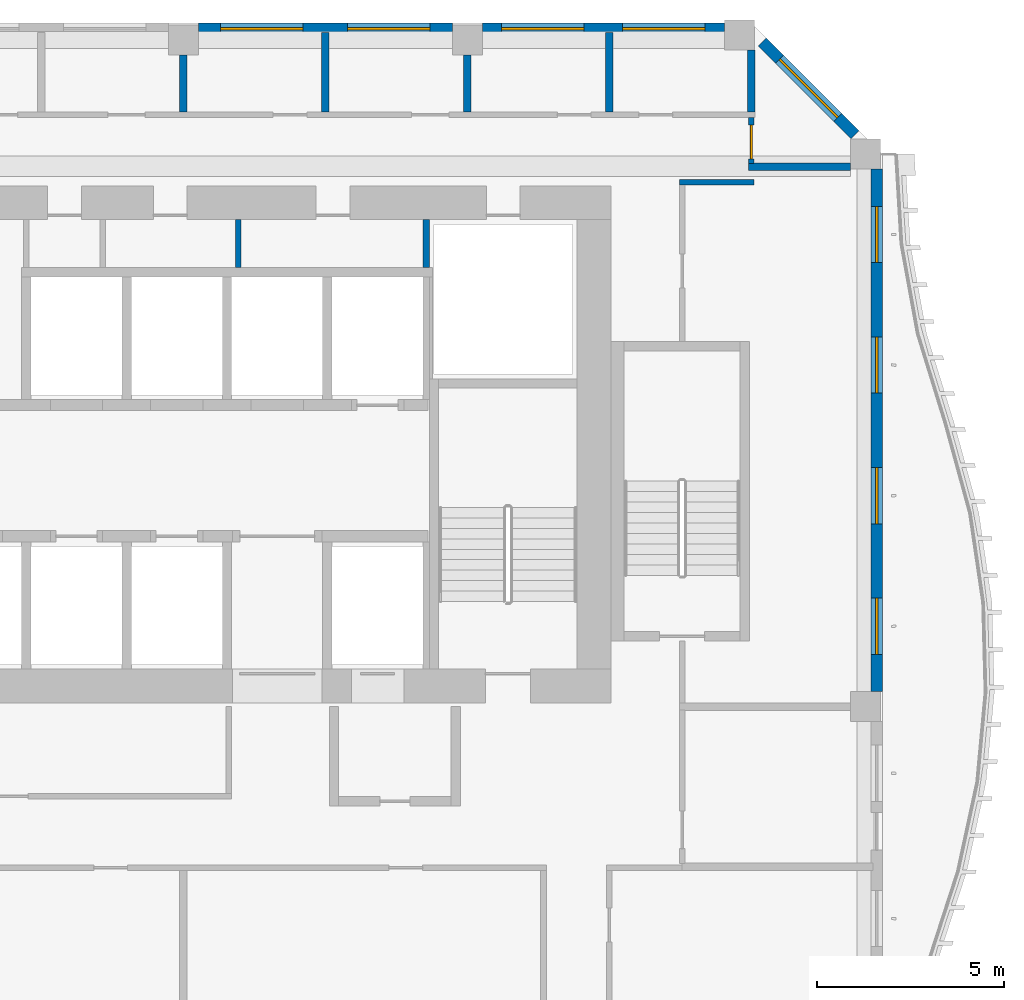
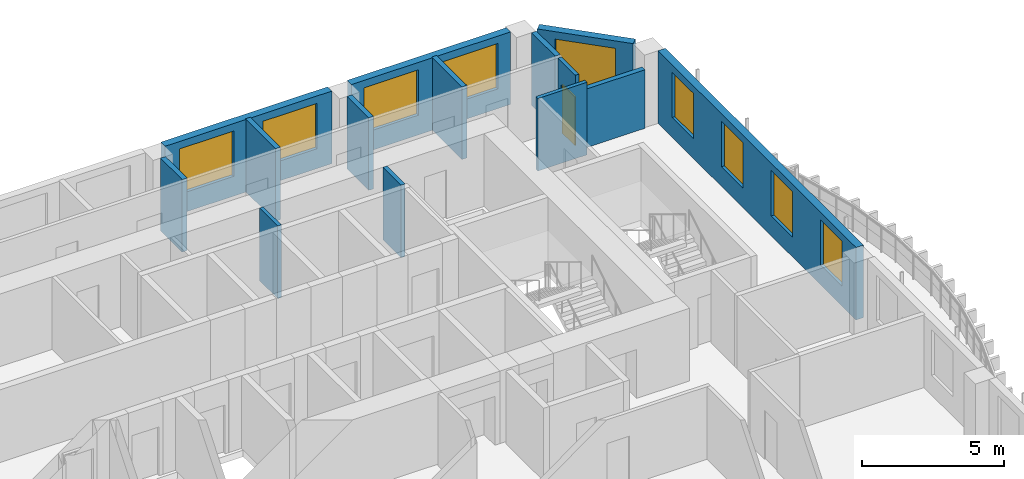
# One storey, part 11 of 22: 14 walls, 9 windows, 1 door, 10 openings.
"""IFC4 building model written with IfcOpenShell, lengths in metres."""

import ifcopenshell
import ifcopenshell.guid

model = None  # the IFC model being written
_history = None  # IfcOwnerHistory: only IFC2X3 demands one
_inside = {}  # id of a spatial element -> (the spatial element, [elements in it])
_under = {}  # id of a project, library or spatial element -> (it, [spatial elements below it])
_declared = {}  # id of a project -> (the project, [libraries it declares])
_typed = {}  # id of a type object -> (the type object, [elements of that type])
_made_of = {}  # id of a material, layer set ... -> (it, [elements and type objects made of it])


def new_model(schema):
    """Start an empty IFC model of exactly this schema.

    Asked for "IFC4X3", IfcOpenShell would pick the latest addendum, in which some entities
    have other attributes; the version numbers below select the first issue.
    IFC2X3 requires an IfcOwnerHistory on every rooted entity: one is made here for all.
    """
    global model, _history
    if schema == "IFC4X3":
        model = ifcopenshell.file(schema_version=(4, 3, 0, 0))
    else:
        model = ifcopenshell.file(schema=schema)
    _inside.clear()
    _under.clear()
    _declared.clear()
    _typed.clear()
    _made_of.clear()
    _history = None
    if model.schema == "IFC2X3":
        org = make("IfcOrganization", Name="unknown")
        user = make(
            "IfcPersonAndOrganization",
            ThePerson=make("IfcPerson", FamilyName="unknown"),
            TheOrganization=org,
        )
        app = make(
            "IfcApplication",
            ApplicationDeveloper=org,
            Version="unknown",
            ApplicationFullName="unknown",
            ApplicationIdentifier="unknown",
        )
        _history = make(
            "IfcOwnerHistory",
            OwningUser=user,
            OwningApplication=app,
            ChangeAction="ADDED",
            CreationDate=0,
        )
    return model


def make(cls, **values):
    """One entity of the class cls with the attributes given. An attribute that is None is left unset."""
    return model.create_entity(
        cls, **{name: value for name, value in values.items() if value is not None}
    )


def rooted(cls, **values):
    """An entity with a GlobalId (a new one), such as an element, a storey or a relation."""
    return make(cls, GlobalId=ifcopenshell.guid.new(), OwnerHistory=_history, **values)


def si_unit(unit_type, name, prefix=None):
    """IfcSIUnit, for example si_unit("LENGTHUNIT", "METRE", prefix="MILLI")."""
    return make("IfcSIUnit", UnitType=unit_type, Prefix=prefix, Name=name)


def assignment(units):
    """IfcUnitAssignment: the units of a project."""
    return None if units is None else make("IfcUnitAssignment", Units=units)


def point(xyz):
    """IfcCartesianPoint."""
    return None if xyz is None else make("IfcCartesianPoint", Coordinates=xyz)


def direction(xyz):
    """IfcDirection."""
    return None if xyz is None else make("IfcDirection", DirectionRatios=xyz)


def frame(location, z_axis=None, x_axis=None):
    """IfcAxis2Placement3D, a coordinate frame: its origin and axes. An axis left out is left unset."""
    return make(
        "IfcAxis2Placement3D",
        Location=point(location),
        Axis=direction(z_axis),
        RefDirection=direction(x_axis),
    )


def frame_2d(location, x_axis=None):
    """IfcAxis2Placement2D, a coordinate frame in the plane: its origin and x axis."""
    return make(
        "IfcAxis2Placement2D", Location=point(location), RefDirection=direction(x_axis)
    )


def origin():
    """The frame at (0, 0, 0) with its axes left unset."""
    return frame((0.0, 0.0, 0.0))


def place(relative_to, where):
    """IfcLocalPlacement: puts the frame where relative to a parent placement (None: the world)."""
    return make(
        "IfcLocalPlacement", PlacementRelTo=relative_to, RelativePlacement=where
    )


def context(
    kind, dimensions, precision=None, world=None, true_north=None, identifier=None
):
    """IfcGeometricRepresentationContext, for example the 3D "Model" context."""
    return make(
        "IfcGeometricRepresentationContext",
        ContextIdentifier=identifier,
        ContextType=kind,
        CoordinateSpaceDimension=dimensions,
        Precision=precision,
        WorldCoordinateSystem=world,
        TrueNorth=true_north,
    )


def subcontext(parent, identifier, kind, view, scale=None):
    """IfcGeometricRepresentationSubContext, for example "Body" below "Model"."""
    return make(
        "IfcGeometricRepresentationSubContext",
        ContextIdentifier=identifier,
        ContextType=kind,
        ParentContext=parent,
        TargetScale=scale,
        TargetView=view,
    )


def project(units=None, contexts=None):
    """IfcProject with its units and contexts."""
    return rooted(
        "IfcProject",
        Name="project",
        RepresentationContexts=contexts,
        UnitsInContext=assignment(units),
    )


def spatial(cls, under=None, at=None, **own):
    """A site, building, storey or space (cls), placed at a placement, below another one or the project."""
    s = rooted(cls, ObjectPlacement=at, **own)
    if under is not None:
        _under.setdefault(under.id(), (under, []))[1].append(s)
    return s


def profile(cls, at=None, kind="AREA", **sizes):
    """A parametric profile (cls). Its sizes go by their IFC names, for example OverallWidth=200.0."""
    return make(cls, ProfileType=kind, Position=at, **sizes)


def rectangle(**sizes):
    """IfcRectangleProfileDef."""
    return profile("IfcRectangleProfileDef", **sizes)


def extrude(swept, where, along, depth):
    """IfcExtrudedAreaSolid: the profile swept, set in the frame where, extruded along a direction by depth."""
    return make(
        "IfcExtrudedAreaSolid",
        SweptArea=swept,
        Position=where,
        ExtrudedDirection=direction(along),
        Depth=depth,
    )


def shape(context_of_items, identifier, shape_type, items):
    """IfcShapeRepresentation: the items that make up one representation, for example the "Body"."""
    return make(
        "IfcShapeRepresentation",
        ContextOfItems=context_of_items,
        RepresentationIdentifier=identifier,
        RepresentationType=shape_type,
        Items=items,
    )


def source(mapping_origin, context_of_items, identifier, shape_type, items):
    """IfcRepresentationMap: a shape defined once, which mapped items show again and again."""
    return make(
        "IfcRepresentationMap",
        MappingOrigin=mapping_origin,
        MappedRepresentation=shape(context_of_items, identifier, shape_type, items),
    )


def transform(
    local_origin,
    x_axis=None,
    y_axis=None,
    z_axis=None,
    scale=None,
    scale2=None,
    scale3=None,
    uniform=True,
):
    """IfcCartesianTransformationOperator3D, or its non-uniform kind. x_axis, y_axis, z_axis: its Axis1, 2, 3."""
    if uniform:
        return make(
            "IfcCartesianTransformationOperator3D",
            Axis1=direction(x_axis),
            Axis2=direction(y_axis),
            LocalOrigin=point(local_origin),
            Scale=scale,
            Axis3=direction(z_axis),
        )
    return make(
        "IfcCartesianTransformationOperator3DnonUniform",
        Axis1=direction(x_axis),
        Axis2=direction(y_axis),
        LocalOrigin=point(local_origin),
        Scale=scale,
        Axis3=direction(z_axis),
        Scale2=scale2,
        Scale3=scale3,
    )


def mapped(mapping_source, mapping_target):
    """IfcMappedItem: shows the shape of a source again, moved by a transform."""
    return make(
        "IfcMappedItem", MappingSource=mapping_source, MappingTarget=mapping_target
    )


def material(Name=None, Category=None):
    """IfcMaterial."""
    return make("IfcMaterial", Name=Name, Category=Category)


def layer(
    of_material, thickness, ventilated=None, Name=None, Category=None, Priority=None
):
    """IfcMaterialLayer: one layer of a wall or slab, of a material (None: an air gap)."""
    return make(
        "IfcMaterialLayer",
        Material=of_material,
        LayerThickness=thickness,
        IsVentilated=ventilated,
        Name=Name,
        Category=Category,
        Priority=Priority,
    )


def layer_set(layers, Name=None):
    """IfcMaterialLayerSet."""
    return make("IfcMaterialLayerSet", MaterialLayers=layers, LayerSetName=Name)


def made_of(thing, what):
    """Note that an element or type object is made of a material, layer set ...; save() writes the relation."""
    if what is not None:
        _made_of.setdefault(what.id(), (what, []))[1].append(thing)
    return thing


def type_object(cls, material=None, **own):
    """A type object (cls), such as IfcWallType, which elements share."""
    return made_of(rooted(cls, **own), material)


def element(
    cls,
    number,
    at=None,
    inside=None,
    cuts=None,
    type_object=None,
    material=None,
    context=None,
    identifier="Body",
    shape_type=None,
    held_by="IfcProductDefinitionShape",
    body=None,
    shapes=None,
    **own,
):
    """One element of the class cls, such as IfcWall. Its Tag is "e" and its number.

    at: its placement. inside: the storey or other place that contains it. cuts: it is an
    opening in that element (IfcRelVoidsElement). A single representation is given by context,
    identifier, shape_type and body (its items); several are given by shapes. held_by: the class
    of the entity that holds the representations. save() writes the other relations.
    """
    e = rooted(cls, Tag="e%d" % number, ObjectPlacement=at, **own)
    if body is not None:
        shapes = [shape(context, identifier, shape_type, body)]
    if shapes is not None:
        e.Representation = make(held_by, Representations=shapes)
    if inside is not None:
        _inside.setdefault(inside.id(), (inside, []))[1].append(e)
    if cuts is not None:
        rooted(
            "IfcRelVoidsElement", RelatingBuildingElement=cuts, RelatedOpeningElement=e
        )
    if type_object is not None:
        _typed.setdefault(type_object.id(), (type_object, []))[1].append(e)
    return made_of(e, material)


def fill(opening, filler):
    """IfcRelFillsElement: the door or window that sits in an opening."""
    return rooted(
        "IfcRelFillsElement",
        RelatingOpeningElement=opening,
        RelatedBuildingElement=filler,
    )


def aggregate(whole, parts):
    """IfcRelAggregates: a whole, such as a stair, and the parts it consists of."""
    return rooted("IfcRelAggregates", RelatingObject=whole, RelatedObjects=parts)


def save(model, path):
    """Write the relations noted so far, then the file.

    IfcRelAggregates (storeys below a building ...), IfcRelContainedInSpatialStructure (elements
    in a storey), IfcRelDefinesByType, IfcRelAssociatesMaterial and IfcRelDeclares: one each for
    every whole, place, type object, material and project.
    """
    for whole, parts in _under.values():
        aggregate(whole, parts)
    for where, things in _inside.values():
        rooted(
            "IfcRelContainedInSpatialStructure",
            RelatedElements=things,
            RelatingStructure=where,
        )
    for kind, things in _typed.values():
        rooted("IfcRelDefinesByType", RelatedObjects=things, RelatingType=kind)
    for what, things in _made_of.values():
        rooted("IfcRelAssociatesMaterial", RelatedObjects=things, RelatingMaterial=what)
    for by, libraries in _declared.values():
        rooted("IfcRelDeclares", RelatingContext=by, RelatedDefinitions=libraries)
    model.write(path)


model = new_model("IFC4")

# Units and contexts
model_context = context("Model", 3, precision=1e-05, world=origin(), true_north=direction((0.0, 1.0)))
body_context = subcontext(model_context, "Body", "Model", "MODEL_VIEW")
ifc_project = project(units=[si_unit("LENGTHUNIT", "METRE"), si_unit("AREAUNIT", "SQUARE_METRE"), si_unit("VOLUMEUNIT", "CUBIC_METRE"), si_unit("PLANEANGLEUNIT", "RADIAN"), si_unit("MASSUNIT", "GRAM", prefix="KILO")], contexts=[model_context])

# Site, building, storey
site_placement = place(None, origin())
site = spatial("IfcSite", under=ifc_project, at=site_placement, CompositionType="ELEMENT")
building_placement = place(site_placement, origin())
building = spatial("IfcBuilding", under=site, at=building_placement, Name="Kilnfold Tower and Market Hall", CompositionType="ELEMENT")
storey_placement = place(building_placement, frame((0.0, 0.0, 171.89990234375)))
storey = spatial("IfcBuildingStorey", under=building, at=storey_placement, Name="L40", CompositionType="ELEMENT", Elevation=171.89990234375)

# Wall
ifc_material_1 = material(Name="Gypsum board on steel studs", Category="steel")
ifc_layer_1 = layer(ifc_material_1, 0.14990234375)
ifc_layer_set_1 = layer_set([ifc_layer_1], Name="Gypsum board on steel studs")
wall_type_1 = type_object("IfcWallType", Name="WALL CORRIDOR 150", PredefinedType="PARTITIONING", material=ifc_layer_set_1)
wall_1_placement = place(storey_placement, frame((19.824951171875, 22.0, 0.0), z_axis=(0.0, 0.0, 1.0), x_axis=(1.0, 0.0, 0.0)))
element("IfcWall", 1, at=wall_1_placement, inside=storey, type_object=wall_type_1, Name="Partition LY26.30", PredefinedType="PARTITIONING", context=body_context, shape_type="SweptSolid", body=[
    extrude(rectangle(XDim=2.0, YDim=0.14990234375, at=frame_2d((1.0, 0.0))), origin(), (0.0, 0.0, 1.0), 3.1201171875),
])

# Wall, opening, door
wall_2_placement = place(storey_placement, frame((21.75, 22.5029296875, 0.0), z_axis=(0.0, 0.0, 1.0), x_axis=(0.0, 1.0, 0.0)))
wall_2 = element("IfcWall", 2, at=wall_2_placement, inside=storey, type_object=wall_type_1, Name="Partition LY26.33", PredefinedType="PARTITIONING", context=body_context, shape_type="SweptSolid", body=[
    extrude(rectangle(XDim=1.22216796875, YDim=0.14990234375, at=frame_2d((0.611083984375, 0.0))), origin(), (0.0, 0.0, 1.0), 3.1201171875),
])
opening_1_placement = place(wall_2_placement, frame((0.1201171875, 0.0, 0.0)))
opening_1 = element("IfcOpeningElement", 3, at=opening_1_placement, cuts=wall_2, Name="Opening D2", PredefinedType="OPENING", context=body_context, shape_type="SweptSolid", body=[
    extrude(rectangle(XDim=0.89990234375, YDim=2.10009765625, at=frame_2d((0.449951171875, 1.050048828125))), frame((0.0, 0.0849609375, 0.0), z_axis=(0.0, -1.0, 0.0), x_axis=(1.0, 0.0, 0.0)), (0.0, 0.0, 1.0), 0.169921875),
])
ifc_material_2 = material(Name="Timber veneer door leaf in steel frame", Category="steel")
door_type = type_object("IfcDoorType", Name="DOOR ROOM 900 X2100", OperationType="NOTDEFINED", PredefinedType="DOOR", material=ifc_material_2)
door_placement = place(opening_1_placement, origin())
door = element("IfcDoor", 4, at=door_placement, inside=storey, type_object=door_type, Name="Door D2", OperationType="SINGLE_SWING_LEFT", OverallHeight=2.10009765625, OverallWidth=0.89990234375, PredefinedType="DOOR", context=body_context, shape_type="SweptSolid", body=[
    extrude(rectangle(XDim=0.89990234375, YDim=2.10009765625, at=frame_2d((0.449951171875, 1.050048828125))), frame((0.0, 0.02490234375, 0.0), z_axis=(0.0, -1.0, 0.0), x_axis=(1.0, 0.0, 0.0)), (0.0, 0.0, 1.0), 0.050048828125),
])
fill(opening_1, door)

# Walls
ifc_material_3 = material(Name="Gypsum board on steel studs", Category="steel")
ifc_layer_2 = layer(ifc_material_3, 0.199951171875)
ifc_layer_set_2 = layer_set([ifc_layer_2], Name="Gypsum board on steel studs")
wall_type_2 = type_object("IfcWallType", Name="WALL PARTY 200", PredefinedType="PARTITIONING", material=ifc_layer_set_2)
wall_3_placement = place(storey_placement, frame((24.39990234375, 22.4130859375, 0.0), z_axis=(0.0, 0.0, 1.0), x_axis=(-1.0, 0.0, 0.0)))
element("IfcWall", 5, at=wall_3_placement, inside=storey, type_object=wall_type_2, Name="Partition LY26.120", PredefinedType="PARTITIONING", context=body_context, shape_type="SweptSolid", body=[
    extrude(rectangle(XDim=2.722900390625, YDim=0.199951171875, at=frame_2d((1.361328125, 0.0))), origin(), (0.0, 0.0, 1.0), 2.52001953125),
])
wall_4_placement = place(storey_placement, frame((21.75, 25.531982421875, 0.0), z_axis=(0.0, 0.0, 1.0), x_axis=(0.0, -1.0, 0.0)))
element("IfcWall", 6, at=wall_4_placement, inside=storey, type_object=wall_type_2, Name="Partition LY26.121", PredefinedType="PARTITIONING", context=body_context, shape_type="SweptSolid", body=[
    extrude(rectangle(XDim=1.655029296875, YDim=0.199951171875, at=frame_2d((0.82763671875, 0.0))), origin(), (0.0, 0.0, 1.0), 3.1201171875),
])
wall_5_placement = place(storey_placement, frame((6.5830078125, 23.876953125, 0.0), z_axis=(0.0, 0.0, 1.0), x_axis=(0.0, 1.0, 0.0)))
element("IfcWall", 7, at=wall_5_placement, inside=storey, type_object=wall_type_2, Name="Partition LY26.130", PredefinedType="PARTITIONING", context=body_context, shape_type="SweptSolid", body=[
    extrude(rectangle(XDim=1.52294921875, YDim=0.199951171875, at=frame_2d((0.761474609375, 0.0))), origin(), (0.0, 0.0, 1.0), 3.1201171875),
])
wall_6_placement = place(storey_placement, frame((10.375, 23.876953125, 0.0), z_axis=(0.0, 0.0, 1.0), x_axis=(0.0, 1.0, 0.0)))
element("IfcWall", 8, at=wall_6_placement, inside=storey, type_object=wall_type_2, Name="Partition LY26.131", PredefinedType="PARTITIONING", context=body_context, shape_type="SweptSolid", body=[
    extrude(rectangle(XDim=2.123046875, YDim=0.199951171875, at=frame_2d((1.0615234375, 0.0))), origin(), (0.0, 0.0, 1.0), 3.1201171875),
])
wall_7_placement = place(storey_placement, frame((14.1669921875, 23.876953125, 0.0), z_axis=(0.0, 0.0, 1.0), x_axis=(0.0, 1.0, 0.0)))
element("IfcWall", 9, at=wall_7_placement, inside=storey, type_object=wall_type_2, Name="Partition LY26.132", PredefinedType="PARTITIONING", context=body_context, shape_type="SweptSolid", body=[
    extrude(rectangle(XDim=1.52294921875, YDim=0.199951171875, at=frame_2d((0.761474609375, 0.0))), origin(), (0.0, 0.0, 1.0), 3.1201171875),
])
wall_8_placement = place(storey_placement, frame((17.958984375, 23.876953125, 0.0), z_axis=(0.0, 0.0, 1.0), x_axis=(0.0, 1.0, 0.0)))
element("IfcWall", 10, at=wall_8_placement, inside=storey, type_object=wall_type_2, Name="Partition LY26.133", PredefinedType="PARTITIONING", context=body_context, shape_type="SweptSolid", body=[
    extrude(rectangle(XDim=2.123046875, YDim=0.199951171875, at=frame_2d((1.0615234375, 0.0))), origin(), (0.0, 0.0, 1.0), 3.1201171875),
])

# Wall, openings, windows
ifc_material_4 = material(Name="Precast concrete C50/60", Category="concrete")
ifc_layer_3 = layer(ifc_material_4, 0.300048828125)
ifc_layer_set_3 = layer_set([ifc_layer_3], Name="Precast concrete C50/60")
wall_type_3 = type_object("IfcWallType", Name="PRECAST WALL 300", PredefinedType="SOLIDWALL", material=ifc_layer_set_3)
shared_shape_1 = source(origin(), body_context, "Body", "SweptSolid", [
    extrude(rectangle(XDim=6.783203125, YDim=0.300048828125, at=frame_2d((3.3916015625, 0.0))), origin(), (0.0, 0.0, 1.0), 3.1201171875),
])
wall_9_placement = place(storey_placement, frame((13.7666015625, 26.10009765625, 0.0), z_axis=(0.0, 0.0, 1.0), x_axis=(-1.0, 0.0, 0.0)))
wall_9 = element("IfcWall", 11, at=wall_9_placement, inside=storey, type_object=wall_type_3, Name="External wall L40 N", PredefinedType="SOLIDWALL", context=body_context, shape_type="MappedRepresentation", body=[
    mapped(shared_shape_1, transform((0.0, 0.0, 0.0))),
])
opening_2_placement = place(wall_9_placement, frame((0.595703125, 0.0, 0.85009765625)))
opening_2 = element("IfcOpeningElement", 12, at=opening_2_placement, cuts=wall_9, Name="Opening W2", PredefinedType="OPENING", context=body_context, shape_type="SweptSolid", body=[
    extrude(rectangle(XDim=2.199951171875, YDim=1.949951171875, at=frame_2d((1.10009765625, 0.97509765625))), frame((0.0, 0.16015625, 0.0), z_axis=(0.0, -1.0, 0.0), x_axis=(1.0, 0.0, 0.0)), (0.0, 0.0, 1.0), 0.320068359375),
])
opening_3_placement = place(wall_9_placement, frame((3.987548828125, 0.0, 0.85009765625)))
opening_3 = element("IfcOpeningElement", 13, at=opening_3_placement, cuts=wall_9, Name="Opening W2", PredefinedType="OPENING", context=body_context, shape_type="SweptSolid", body=[
    extrude(rectangle(XDim=2.199951171875, YDim=1.949951171875, at=frame_2d((1.10009765625, 0.97509765625))), frame((0.0, 0.16015625, 0.0), z_axis=(0.0, -1.0, 0.0), x_axis=(1.0, 0.0, 0.0)), (0.0, 0.0, 1.0), 0.320068359375),
])
ifc_material_5 = material(Name="Aluminium frame and double glazing", Category="aluminium")
window_type_1 = type_object("IfcWindowType", Name="WINDOW W2 2200X1950", PartitioningType="SINGLE_PANEL", PredefinedType="WINDOW", material=ifc_material_5)
window_1_placement = place(opening_2_placement, origin())
window_1 = element("IfcWindow", 14, at=window_1_placement, inside=storey, type_object=window_type_1, Name="Window W2 L40 N-1", OverallHeight=1.949951171875, OverallWidth=2.199951171875, PartitioningType="SINGLE_PANEL", PredefinedType="WINDOW", context=body_context, shape_type="SweptSolid", body=[
    extrude(rectangle(XDim=2.199951171875, YDim=1.949951171875, at=frame_2d((1.10009765625, 0.97509765625))), frame((0.0, 0.030029296875, 0.0), z_axis=(0.0, -1.0, 0.0), x_axis=(1.0, 0.0, 0.0)), (0.0, 0.0, 1.0), 0.06005859375),
])
fill(opening_2, window_1)
window_2_placement = place(opening_3_placement, origin())
window_2 = element("IfcWindow", 15, at=window_2_placement, inside=storey, type_object=window_type_1, Name="Window W2 L40 N-2", OverallHeight=1.949951171875, OverallWidth=2.199951171875, PartitioningType="SINGLE_PANEL", PredefinedType="WINDOW", context=body_context, shape_type="SweptSolid", body=[
    extrude(rectangle(XDim=2.199951171875, YDim=1.949951171875, at=frame_2d((1.10009765625, 0.97509765625))), frame((0.0, 0.030029296875, 0.0), z_axis=(0.0, -1.0, 0.0), x_axis=(1.0, 0.0, 0.0)), (0.0, 0.0, 1.0), 0.06005859375),
])
fill(opening_3, window_2)

# Wall, opening, window
shared_shape_2 = source(origin(), body_context, "Body", "SweptSolid", [
    extrude(rectangle(XDim=3.500244140625, YDim=0.300048828125, at=frame_2d((1.75, 0.0))), origin(), (0.0, 0.0, 1.0), 3.1201171875),
])
wall_10_placement = place(storey_placement, frame((24.518798828125, 23.268798828125, 0.0), z_axis=(0.0, 0.0, 1.0), x_axis=(-0.70707190453, 0.707141656123, 0.0)))
wall_10 = element("IfcWall", 16, at=wall_10_placement, inside=storey, type_object=wall_type_3, Name="External wall L40 NE", PredefinedType="SOLIDWALL", context=body_context, shape_type="MappedRepresentation", body=[
    mapped(shared_shape_2, transform((0.0, 0.0, 0.0))),
])
opening_4_placement = place(wall_10_placement, frame((0.650146484375, 0.0, 0.85009765625)))
opening_4 = element("IfcOpeningElement", 17, at=opening_4_placement, cuts=wall_10, Name="Opening W2", PredefinedType="OPENING", context=body_context, shape_type="SweptSolid", body=[
    extrude(rectangle(XDim=2.199951171875, YDim=1.949951171875, at=frame_2d((1.10009765625, 0.97509765625))), frame((0.0, 0.16015625, 0.0), z_axis=(0.0, -1.0, 0.0), x_axis=(1.0, 0.0, 0.0)), (0.0, 0.0, 1.0), 0.320068359375),
])
window_3_placement = place(opening_4_placement, origin())
window_3 = element("IfcWindow", 18, at=window_3_placement, inside=storey, type_object=window_type_1, Name="Window W2 L40 NE-1", OverallHeight=1.949951171875, OverallWidth=2.199951171875, PartitioningType="SINGLE_PANEL", PredefinedType="WINDOW", context=body_context, shape_type="SweptSolid", body=[
    extrude(rectangle(XDim=2.199951171875, YDim=1.949951171875, at=frame_2d((1.10009765625, 0.97509765625))), frame((0.0, 0.030029296875, 0.0), z_axis=(0.0, -1.0, 0.0), x_axis=(1.0, 0.0, 0.0)), (0.0, 0.0, 1.0), 0.06005859375),
])
fill(opening_4, window_3)

# Wall, openings, windows
shared_shape_3 = source(origin(), body_context, "Body", "SweptSolid", [
    extrude(rectangle(XDim=6.465087890625, YDim=0.300048828125, at=frame_2d((3.232421875, 0.0))), origin(), (0.0, 0.0, 1.0), 3.1201171875),
])
wall_11_placement = place(storey_placement, frame((21.03173828125, 26.10009765625, 0.0), z_axis=(0.0, 0.0, 1.0), x_axis=(-1.0, 0.0, 0.0)))
wall_11 = element("IfcWall", 19, at=wall_11_placement, inside=storey, type_object=wall_type_3, Name="External wall L40 N", PredefinedType="SOLIDWALL", context=body_context, shape_type="MappedRepresentation", body=[
    mapped(shared_shape_3, transform((0.0, 0.0, 0.0))),
])
opening_5_placement = place(wall_11_placement, frame((0.51611328125, 0.0, 0.85009765625)))
opening_5 = element("IfcOpeningElement", 20, at=opening_5_placement, cuts=wall_11, Name="Opening W2", PredefinedType="OPENING", context=body_context, shape_type="SweptSolid", body=[
    extrude(rectangle(XDim=2.199951171875, YDim=1.949951171875, at=frame_2d((1.10009765625, 0.97509765625))), frame((0.0, 0.16015625, 0.0), z_axis=(0.0, -1.0, 0.0), x_axis=(1.0, 0.0, 0.0)), (0.0, 0.0, 1.0), 0.320068359375),
])
opening_6_placement = place(wall_11_placement, frame((3.748779296875, 0.0, 0.85009765625)))
opening_6 = element("IfcOpeningElement", 21, at=opening_6_placement, cuts=wall_11, Name="Opening W2", PredefinedType="OPENING", context=body_context, shape_type="SweptSolid", body=[
    extrude(rectangle(XDim=2.199951171875, YDim=1.949951171875, at=frame_2d((1.10009765625, 0.97509765625))), frame((0.0, 0.16015625, 0.0), z_axis=(0.0, -1.0, 0.0), x_axis=(1.0, 0.0, 0.0)), (0.0, 0.0, 1.0), 0.320068359375),
])
window_4_placement = place(opening_5_placement, origin())
window_4 = element("IfcWindow", 22, at=window_4_placement, inside=storey, type_object=window_type_1, Name="Window W2 L40 N-1", OverallHeight=1.949951171875, OverallWidth=2.199951171875, PartitioningType="SINGLE_PANEL", PredefinedType="WINDOW", context=body_context, shape_type="SweptSolid", body=[
    extrude(rectangle(XDim=2.199951171875, YDim=1.949951171875, at=frame_2d((1.10009765625, 0.97509765625))), frame((0.0, 0.030029296875, 0.0), z_axis=(0.0, -1.0, 0.0), x_axis=(1.0, 0.0, 0.0)), (0.0, 0.0, 1.0), 0.06005859375),
])
fill(opening_5, window_4)
window_5_placement = place(opening_6_placement, origin())
window_5 = element("IfcWindow", 23, at=window_5_placement, inside=storey, type_object=window_type_1, Name="Window W2 L40 N-2", OverallHeight=1.949951171875, OverallWidth=2.199951171875, PartitioningType="SINGLE_PANEL", PredefinedType="WINDOW", context=body_context, shape_type="SweptSolid", body=[
    extrude(rectangle(XDim=2.199951171875, YDim=1.949951171875, at=frame_2d((1.10009765625, 0.97509765625))), frame((0.0, 0.030029296875, 0.0), z_axis=(0.0, -1.0, 0.0), x_axis=(1.0, 0.0, 0.0)), (0.0, 0.0, 1.0), 0.06005859375),
])
fill(opening_6, window_5)

shared_shape_4 = source(origin(), body_context, "Body", "SweptSolid", [
    extrude(rectangle(XDim=13.9501953125, YDim=0.300048828125, at=frame_2d((6.97509765625, 0.0))), origin(), (0.0, 0.0, 1.0), 3.1201171875),
])
wall_12_placement = place(storey_placement, frame((25.10009765625, 8.39990234375, 0.0), z_axis=(0.0, 0.0, 1.0), x_axis=(0.0, 1.0, 0.0)))
wall_12 = element("IfcWall", 24, at=wall_12_placement, inside=storey, type_object=wall_type_3, Name="External wall L40 E", PredefinedType="SOLIDWALL", context=body_context, shape_type="MappedRepresentation", body=[
    mapped(shared_shape_4, transform((0.0, 0.0, 0.0))),
])
opening_7_placement = place(wall_12_placement, frame((0.993896484375, 0.0, 0.85009765625)))
opening_7 = element("IfcOpeningElement", 25, at=opening_7_placement, cuts=wall_12, Name="Opening W4", PredefinedType="OPENING", context=body_context, shape_type="SweptSolid", body=[
    extrude(rectangle(XDim=1.5, YDim=1.949951171875, at=frame_2d((0.75, 0.97509765625))), frame((0.0, 0.16015625, 0.0), z_axis=(0.0, -1.0, 0.0), x_axis=(1.0, 0.0, 0.0)), (0.0, 0.0, 1.0), 0.320068359375),
])
opening_8_placement = place(wall_12_placement, frame((4.481201171875, 0.0, 0.85009765625)))
opening_8 = element("IfcOpeningElement", 26, at=opening_8_placement, cuts=wall_12, Name="Opening W4", PredefinedType="OPENING", context=body_context, shape_type="SweptSolid", body=[
    extrude(rectangle(XDim=1.5, YDim=1.949951171875, at=frame_2d((0.75, 0.97509765625))), frame((0.0, 0.16015625, 0.0), z_axis=(0.0, -1.0, 0.0), x_axis=(1.0, 0.0, 0.0)), (0.0, 0.0, 1.0), 0.320068359375),
])
opening_9_placement = place(wall_12_placement, frame((7.96875, 0.0, 0.85009765625)))
opening_9 = element("IfcOpeningElement", 27, at=opening_9_placement, cuts=wall_12, Name="Opening W4", PredefinedType="OPENING", context=body_context, shape_type="SweptSolid", body=[
    extrude(rectangle(XDim=1.5, YDim=1.949951171875, at=frame_2d((0.75, 0.97509765625))), frame((0.0, 0.16015625, 0.0), z_axis=(0.0, -1.0, 0.0), x_axis=(1.0, 0.0, 0.0)), (0.0, 0.0, 1.0), 0.320068359375),
])
opening_10_placement = place(wall_12_placement, frame((11.456298828125, 0.0, 0.85009765625)))
opening_10 = element("IfcOpeningElement", 28, at=opening_10_placement, cuts=wall_12, Name="Opening W4", PredefinedType="OPENING", context=body_context, shape_type="SweptSolid", body=[
    extrude(rectangle(XDim=1.5, YDim=1.949951171875, at=frame_2d((0.75, 0.97509765625))), frame((0.0, 0.16015625, 0.0), z_axis=(0.0, -1.0, 0.0), x_axis=(1.0, 0.0, 0.0)), (0.0, 0.0, 1.0), 0.320068359375),
])
ifc_material_6 = material(Name="Aluminium frame and double glazing", Category="aluminium")
window_type_2 = type_object("IfcWindowType", Name="WINDOW W4 1500X1950", PartitioningType="SINGLE_PANEL", PredefinedType="WINDOW", material=ifc_material_6)
window_6_placement = place(opening_7_placement, origin())
window_6 = element("IfcWindow", 29, at=window_6_placement, inside=storey, type_object=window_type_2, Name="Window W4 L40 E-1", OverallHeight=1.949951171875, OverallWidth=1.5, PartitioningType="SINGLE_PANEL", PredefinedType="WINDOW", context=body_context, shape_type="SweptSolid", body=[
    extrude(rectangle(XDim=1.5, YDim=1.949951171875, at=frame_2d((0.75, 0.97509765625))), frame((0.0, 0.030029296875, 0.0), z_axis=(0.0, -1.0, 0.0), x_axis=(1.0, 0.0, 0.0)), (0.0, 0.0, 1.0), 0.06005859375),
])
fill(opening_7, window_6)
window_7_placement = place(opening_8_placement, origin())
window_7 = element("IfcWindow", 30, at=window_7_placement, inside=storey, type_object=window_type_2, Name="Window W4 L40 E-2", OverallHeight=1.949951171875, OverallWidth=1.5, PartitioningType="SINGLE_PANEL", PredefinedType="WINDOW", context=body_context, shape_type="SweptSolid", body=[
    extrude(rectangle(XDim=1.5, YDim=1.949951171875, at=frame_2d((0.75, 0.97509765625))), frame((0.0, 0.030029296875, 0.0), z_axis=(0.0, -1.0, 0.0), x_axis=(1.0, 0.0, 0.0)), (0.0, 0.0, 1.0), 0.06005859375),
])
fill(opening_8, window_7)
window_8_placement = place(opening_9_placement, origin())
window_8 = element("IfcWindow", 31, at=window_8_placement, inside=storey, type_object=window_type_2, Name="Window W4 L40 E-3", OverallHeight=1.949951171875, OverallWidth=1.5, PartitioningType="SINGLE_PANEL", PredefinedType="WINDOW", context=body_context, shape_type="SweptSolid", body=[
    extrude(rectangle(XDim=1.5, YDim=1.949951171875, at=frame_2d((0.75, 0.97509765625))), frame((0.0, 0.030029296875, 0.0), z_axis=(0.0, -1.0, 0.0), x_axis=(1.0, 0.0, 0.0)), (0.0, 0.0, 1.0), 0.06005859375),
])
fill(opening_9, window_8)
window_9_placement = place(opening_10_placement, origin())
window_9 = element("IfcWindow", 32, at=window_9_placement, inside=storey, type_object=window_type_2, Name="Window W4 L40 E-4", OverallHeight=1.949951171875, OverallWidth=1.5, PartitioningType="SINGLE_PANEL", PredefinedType="WINDOW", context=body_context, shape_type="SweptSolid", body=[
    extrude(rectangle(XDim=1.5, YDim=1.949951171875, at=frame_2d((0.75, 0.97509765625))), frame((0.0, 0.030029296875, 0.0), z_axis=(0.0, -1.0, 0.0), x_axis=(1.0, 0.0, 0.0)), (0.0, 0.0, 1.0), 0.06005859375),
])
fill(opening_10, window_9)

# Walls
ifc_material_7 = material(Name="Gypsum shaft wall system")
ifc_layer_4 = layer(ifc_material_7, 0.1650390625)
ifc_layer_set_4 = layer_set([ifc_layer_4], Name="Gypsum shaft wall system")
wall_type_4 = type_object("IfcWallType", Name="SHAFT WALL 165", PredefinedType="PARTITIONING", material=ifc_layer_set_4)
shared_shape_5 = source(origin(), body_context, "Body", "SweptSolid", [
    extrude(rectangle(XDim=1.27490234375, YDim=0.1650390625, at=frame_2d((0.637451171875, 0.0))), origin(), (0.0, 0.0, 1.0), 3.1201171875),
])
wall_13_placement = place(storey_placement, frame((13.0673828125, 19.72509765625, 0.0), z_axis=(0.0, 0.0, 1.0), x_axis=(0.0, 1.0, 0.0)))
element("IfcWall", 33, at=wall_13_placement, inside=storey, type_object=wall_type_4, Name="Lift shaft wall", PredefinedType="PARTITIONING", context=body_context, shape_type="MappedRepresentation", body=[
    mapped(shared_shape_5, transform((0.0, 0.0, 0.0))),
])
ifc_material_8 = material(Name="Gypsum shaft wall system")
ifc_layer_5 = layer(ifc_material_8, 0.14990234375)
ifc_layer_set_5 = layer_set([ifc_layer_5], Name="Gypsum shaft wall system")
wall_type_5 = type_object("IfcWallType", Name="ROOM WALL 150", PredefinedType="PARTITIONING", material=ifc_layer_set_5)
shared_shape_6 = source(origin(), body_context, "Body", "SweptSolid", [
    extrude(rectangle(XDim=1.27490234375, YDim=0.14990234375, at=frame_2d((0.637451171875, 0.0))), origin(), (0.0, 0.0, 1.0), 3.1201171875),
])
wall_14_placement = place(storey_placement, frame((8.044921875, 19.72509765625, 0.0), z_axis=(0.0, 0.0, 1.0), x_axis=(0.0, 1.0, 0.0)))
element("IfcWall", 34, at=wall_14_placement, inside=storey, type_object=wall_type_5, Name="Core room wall", PredefinedType="PARTITIONING", context=body_context, shape_type="MappedRepresentation", body=[
    mapped(shared_shape_6, transform((0.0, 0.0, 0.0))),
])

save(model, "model.ifc")
